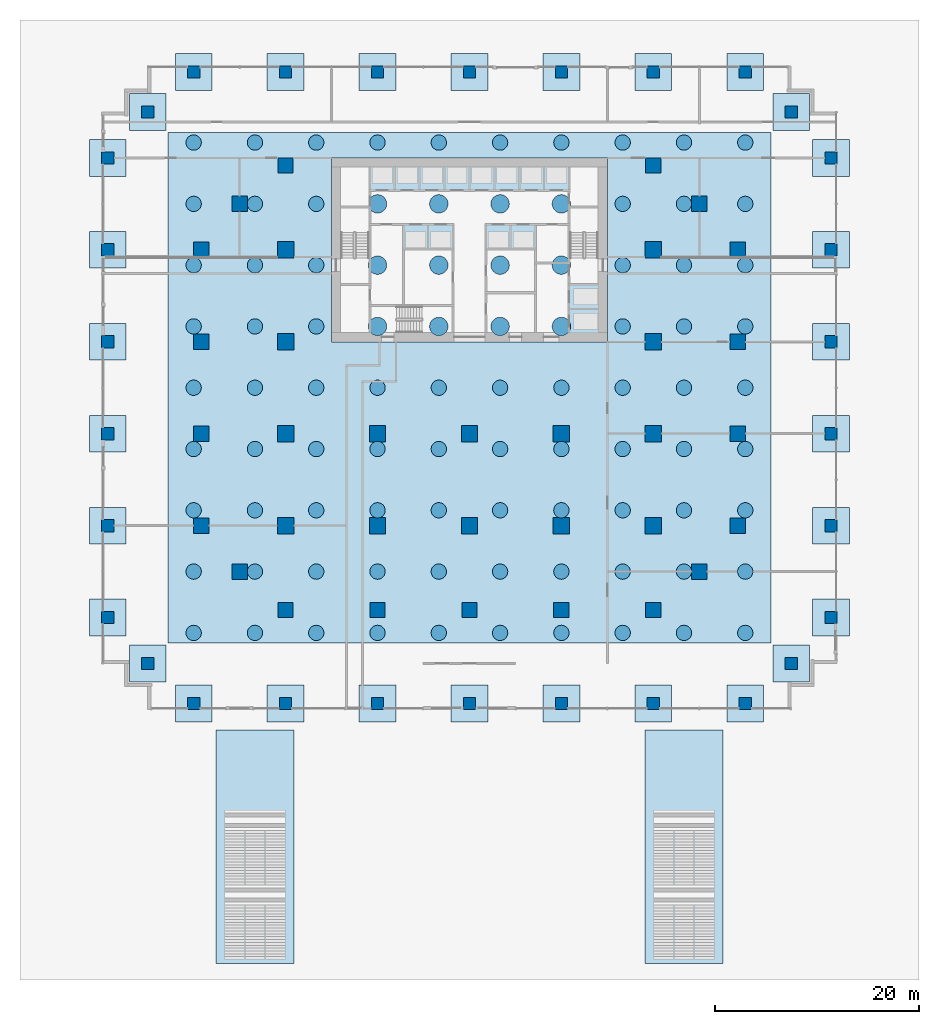
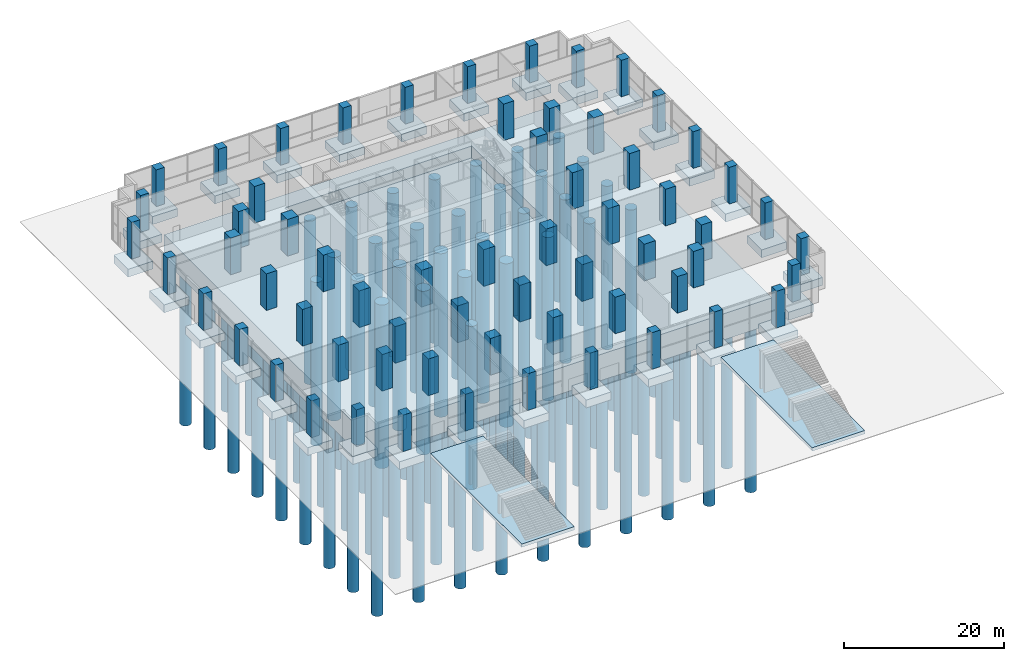
# One storey, part 1 of 20: 90 piles, 63 columns, 34 footings.
"""IFC4 building model written with IfcOpenShell, lengths in metres."""

from ifc_helpers import new_model, si_unit, direction, frame, origin, origin_2d, place, context, subcontext, project, spatial, polyline, rectangle, circle, outline, extrude, material, layer, layer_set, material_profile, profile_set, type_object, element, save


model = new_model("IFC4")

# Units and contexts
model_context = context("Model", 3, precision=1e-05, world=origin(), true_north=direction((0.0, 1.0)))
body_context = subcontext(model_context, "Body", "Model", "MODEL_VIEW")
ifc_project = project(units=[si_unit("LENGTHUNIT", "METRE"), si_unit("AREAUNIT", "SQUARE_METRE"), si_unit("VOLUMEUNIT", "CUBIC_METRE"), si_unit("PLANEANGLEUNIT", "RADIAN"), si_unit("MASSUNIT", "GRAM", prefix="KILO")], contexts=[model_context])

# Site, building, storey
site_placement = place(None, origin())
site = spatial("IfcSite", under=ifc_project, at=site_placement, CompositionType="ELEMENT")
building_placement = place(site_placement, origin())
building = spatial("IfcBuilding", under=site, at=building_placement, Name="Orbiselva Terraces", CompositionType="ELEMENT")
storey_placement = place(building_placement, origin())
storey = spatial("IfcBuildingStorey", under=building, at=storey_placement, Name="L00", CompositionType="ELEMENT", Elevation=0.0)

# Piles
ifc_material_1 = material(Name="Concrete C40/50", Category="concrete")
ifc_material_profile_1 = material_profile(ifc_material_1, circle(Radius=0.75, at=origin_2d()), Name="D1500")
ifc_profile_set_1 = profile_set([ifc_material_profile_1], Name="Concrete C40/50")
pile_type_1 = type_object("IfcPileType", Name="BORED PILE D1500", PredefinedType="BORED", material=ifc_profile_set_1)
for number, where, z_axis, x_axis, name in (
    (1, (-27.0, -24.0, -4.4), (0.0, 0.0, -1.0), (1.0, 0.0, 0.0), "Bored pile 001"),
    (2, (-27.0, -18.0, -4.4), (0.0, 0.0, -1.0), (1.0, 0.0, 0.0), "Bored pile 002"),
    (3, (-27.0, -12.0, -4.4), (0.0, 0.0, -1.0), (1.0, 0.0, 0.0), "Bored pile 003"),
    (4, (-27.0, -6.0, -4.4), (0.0, 0.0, -1.0), (1.0, 0.0, 0.0), "Bored pile 004"),
    (5, (-27.0, 0.0, -4.4), (0.0, 0.0, -1.0), (1.0, 0.0, 0.0), "Bored pile 005"),
    (6, (-27.0, 6.0, -4.4), (0.0, 0.0, -1.0), (1.0, 0.0, 0.0), "Bored pile 006"),
    (7, (-27.0, 12.0, -4.4), (0.0, 0.0, -1.0), (1.0, 0.0, 0.0), "Bored pile 007"),
    (8, (-27.0, 18.0, -4.4), (0.0, 0.0, -1.0), (1.0, 0.0, 0.0), "Bored pile 008"),
    (9, (-27.0, 24.0, -4.4), (0.0, 0.0, -1.0), (1.0, 0.0, 0.0), "Bored pile 009"),
    (10, (-21.0, -24.0, -4.4), (0.0, 0.0, -1.0), (1.0, 0.0, 0.0), "Bored pile 010"),
    (11, (-21.0, -18.0, -4.4), (0.0, 0.0, -1.0), (1.0, 0.0, 0.0), "Bored pile 011"),
    (12, (-21.0, -12.0, -4.4), (0.0, 0.0, -1.0), (1.0, 0.0, 0.0), "Bored pile 012"),
    (13, (-21.0, -6.0, -4.4), (0.0, 0.0, -1.0), (1.0, 0.0, 0.0), "Bored pile 013"),
    (14, (-21.0, 0.0, -4.4), (0.0, 0.0, -1.0), (1.0, 0.0, 0.0), "Bored pile 014"),
    (15, (-21.0, 6.0, -4.4), (0.0, 0.0, -1.0), (1.0, 0.0, 0.0), "Bored pile 015"),
    (16, (-21.0, 12.0, -4.4), (0.0, 0.0, -1.0), (1.0, 0.0, 0.0), "Bored pile 016"),
    (17, (-21.0, 18.0, -4.4), (0.0, 0.0, -1.0), (1.0, 0.0, 0.0), "Bored pile 017"),
    (18, (-21.0, 24.0, -4.4), (0.0, 0.0, -1.0), (1.0, 0.0, 0.0), "Bored pile 018"),
    (19, (-15.0, -24.0, -4.4), (0.0, 0.0, -1.0), (1.0, 0.0, 0.0), "Bored pile 019"),
    (20, (-15.0, -18.0, -4.4), (0.0, 0.0, -1.0), (1.0, 0.0, 0.0), "Bored pile 020"),
    (21, (-15.0, -12.0, -4.4), (0.0, 0.0, -1.0), (1.0, 0.0, 0.0), "Bored pile 021"),
    (22, (-15.0, -6.0, -4.4), (0.0, 0.0, -1.0), (1.0, 0.0, 0.0), "Bored pile 022"),
    (23, (-15.0, 0.0, -4.4), (0.0, 0.0, -1.0), (1.0, 0.0, 0.0), "Bored pile 023"),
    (24, (-15.0, 6.0, -4.4), (0.0, 0.0, -1.0), (1.0, 0.0, 0.0), "Bored pile 024"),
    (25, (-15.0, 12.0, -4.4), (0.0, 0.0, -1.0), (1.0, 0.0, 0.0), "Bored pile 025"),
    (26, (-15.0, 18.0, -4.4), (0.0, 0.0, -1.0), (1.0, 0.0, 0.0), "Bored pile 026"),
    (27, (-15.0, 24.0, -4.4), (0.0, 0.0, -1.0), (1.0, 0.0, 0.0), "Bored pile 027"),
    (28, (-9.0, -24.0, -4.4), (0.0, 0.0, -1.0), (1.0, 0.0, 0.0), "Bored pile 028"),
    (29, (-9.0, -18.0, -4.4), (0.0, 0.0, -1.0), (1.0, 0.0, 0.0), "Bored pile 029"),
    (30, (-9.0, -12.0, -4.4), (0.0, 0.0, -1.0), (1.0, 0.0, 0.0), "Bored pile 030"),
    (31, (-9.0, -6.0, -4.4), (0.0, 0.0, -1.0), (1.0, 0.0, 0.0), "Bored pile 031"),
    (32, (-9.0, 0.0, -4.4), (0.0, 0.0, -1.0), (1.0, 0.0, 0.0), "Bored pile 032"),
    (33, (-9.0, 24.0, -4.4), (0.0, 0.0, -1.0), (1.0, 0.0, 0.0), "Bored pile 036"),
    (34, (-3.0, -24.0, -4.4), (0.0, 0.0, -1.0), (1.0, 0.0, 0.0), "Bored pile 037"),
    (35, (-3.0, -18.0, -4.4), (0.0, 0.0, -1.0), (1.0, 0.0, 0.0), "Bored pile 038"),
    (36, (-3.0, -12.0, -4.4), (0.0, 0.0, -1.0), (1.0, 0.0, 0.0), "Bored pile 039"),
    (37, (-3.0, -6.0, -4.4), (0.0, 0.0, -1.0), (1.0, 0.0, 0.0), "Bored pile 040"),
    (38, (-3.0, 0.0, -4.4), (0.0, 0.0, -1.0), (1.0, 0.0, 0.0), "Bored pile 041"),
    (39, (-3.0, 24.0, -4.4), (0.0, 0.0, -1.0), (1.0, 0.0, 0.0), "Bored pile 045"),
    (40, (3.0, -24.0, -4.4), (0.0, 0.0, -1.0), (1.0, 0.0, 0.0), "Bored pile 046"),
    (41, (3.0, -18.0, -4.4), (0.0, 0.0, -1.0), (1.0, 0.0, 0.0), "Bored pile 047"),
    (42, (3.0, -12.0, -4.4), (0.0, 0.0, -1.0), (1.0, 0.0, 0.0), "Bored pile 048"),
    (43, (3.0, -6.0, -4.4), (0.0, 0.0, -1.0), (1.0, 0.0, 0.0), "Bored pile 049"),
    (44, (3.0, 0.0, -4.4), (0.0, 0.0, -1.0), (1.0, 0.0, 0.0), "Bored pile 050"),
    (45, (3.0, 24.0, -4.4), (0.0, 0.0, -1.0), (1.0, 0.0, 0.0), "Bored pile 054"),
    (46, (9.0, -24.0, -4.4), (0.0, 0.0, -1.0), (1.0, 0.0, 0.0), "Bored pile 055"),
    (47, (9.0, -18.0, -4.4), (0.0, 0.0, -1.0), (1.0, 0.0, 0.0), "Bored pile 056"),
    (48, (9.0, -12.0, -4.4), (0.0, 0.0, -1.0), (1.0, 0.0, 0.0), "Bored pile 057"),
    (49, (9.0, -6.0, -4.4), (0.0, 0.0, -1.0), (1.0, 0.0, 0.0), "Bored pile 058"),
    (50, (9.0, 0.0, -4.4), (0.0, 0.0, -1.0), (1.0, 0.0, 0.0), "Bored pile 059"),
    (51, (9.0, 24.0, -4.4), (0.0, 0.0, -1.0), (1.0, 0.0, 0.0), "Bored pile 063"),
    (52, (15.0, -24.0, -4.4), (0.0, 0.0, -1.0), (1.0, 0.0, 0.0), "Bored pile 064"),
    (53, (15.0, -18.0, -4.4), (0.0, 0.0, -1.0), (1.0, 0.0, 0.0), "Bored pile 065"),
    (54, (15.0, -12.0, -4.4), (0.0, 0.0, -1.0), (1.0, 0.0, 0.0), "Bored pile 066"),
    (55, (15.0, -6.0, -4.4), (0.0, 0.0, -1.0), (1.0, 0.0, 0.0), "Bored pile 067"),
    (56, (15.0, 0.0, -4.4), (0.0, 0.0, -1.0), (1.0, 0.0, 0.0), "Bored pile 068"),
    (57, (15.0, 6.0, -4.4), (0.0, 0.0, -1.0), (1.0, 0.0, 0.0), "Bored pile 069"),
    (58, (15.0, 12.0, -4.4), (0.0, 0.0, -1.0), (1.0, 0.0, 0.0), "Bored pile 070"),
    (59, (15.0, 18.0, -4.4), (0.0, 0.0, -1.0), (1.0, 0.0, 0.0), "Bored pile 071"),
    (60, (15.0, 24.0, -4.4), (0.0, 0.0, -1.0), (1.0, 0.0, 0.0), "Bored pile 072"),
    (61, (21.0, -24.0, -4.4), (0.0, 0.0, -1.0), (1.0, 0.0, 0.0), "Bored pile 073"),
    (62, (21.0, -18.0, -4.4), (0.0, 0.0, -1.0), (1.0, 0.0, 0.0), "Bored pile 074"),
    (63, (21.0, -12.0, -4.4), (0.0, 0.0, -1.0), (1.0, 0.0, 0.0), "Bored pile 075"),
    (64, (21.0, -6.0, -4.4), (0.0, 0.0, -1.0), (1.0, 0.0, 0.0), "Bored pile 076"),
    (65, (21.0, 0.0, -4.4), (0.0, 0.0, -1.0), (1.0, 0.0, 0.0), "Bored pile 077"),
    (66, (21.0, 6.0, -4.4), (0.0, 0.0, -1.0), (1.0, 0.0, 0.0), "Bored pile 078"),
    (67, (21.0, 12.0, -4.4), (0.0, 0.0, -1.0), (1.0, 0.0, 0.0), "Bored pile 079"),
    (68, (21.0, 18.0, -4.4), (0.0, 0.0, -1.0), (1.0, 0.0, 0.0), "Bored pile 080"),
    (69, (21.0, 24.0, -4.4), (0.0, 0.0, -1.0), (1.0, 0.0, 0.0), "Bored pile 081"),
    (70, (27.0, -24.0, -4.4), (0.0, 0.0, -1.0), (1.0, 0.0, 0.0), "Bored pile 082"),
    (71, (27.0, -18.0, -4.4), (0.0, 0.0, -1.0), (1.0, 0.0, 0.0), "Bored pile 083"),
    (72, (27.0, -12.0, -4.4), (0.0, 0.0, -1.0), (1.0, 0.0, 0.0), "Bored pile 084"),
    (73, (27.0, -6.0, -4.4), (0.0, 0.0, -1.0), (1.0, 0.0, 0.0), "Bored pile 085"),
    (74, (27.0, 0.0, -4.4), (0.0, 0.0, -1.0), (1.0, 0.0, 0.0), "Bored pile 086"),
    (75, (27.0, 6.0, -4.4), (0.0, 0.0, -1.0), (1.0, 0.0, 0.0), "Bored pile 087"),
    (76, (27.0, 12.0, -4.4), (0.0, 0.0, -1.0), (1.0, 0.0, 0.0), "Bored pile 088"),
    (77, (27.0, 18.0, -4.4), (0.0, 0.0, -1.0), (1.0, 0.0, 0.0), "Bored pile 089"),
    (78, (27.0, 24.0, -4.4), (0.0, 0.0, -1.0), (1.0, 0.0, 0.0), "Bored pile 090"),
):
    element("IfcPile", number, at=place(storey_placement, frame(where, z_axis=z_axis, x_axis=x_axis)), inside=storey, type_object=pile_type_1, Name=name, PredefinedType="BORED", context=body_context, shape_type="SweptSolid", body=[
        extrude(circle(Radius=0.75, at=origin_2d()), origin(), (0.0, 0.0, 1.0), 25.0),
    ])
ifc_material_profile_2 = material_profile(ifc_material_1, circle(Radius=0.9, at=origin_2d()), Name="D1800")
ifc_profile_set_2 = profile_set([ifc_material_profile_2], Name="Concrete C40/50")
pile_type_2 = type_object("IfcPileType", Name="BORED PILE D1800 UNDER CORE", PredefinedType="BORED", material=ifc_profile_set_2)
for number, where, z_axis, x_axis, name in (
    (79, (-9.0, 6.0, -6.2), (0.0, 0.0, -1.0), (1.0, 0.0, 0.0), "Bored pile 033"),
    (80, (-9.0, 12.0, -6.2), (0.0, 0.0, -1.0), (1.0, 0.0, 0.0), "Bored pile 034"),
    (81, (-9.0, 18.0, -6.2), (0.0, 0.0, -1.0), (1.0, 0.0, 0.0), "Bored pile 035"),
    (82, (-3.0, 6.0, -6.2), (0.0, 0.0, -1.0), (1.0, 0.0, 0.0), "Bored pile 042"),
    (83, (-3.0, 12.0, -6.2), (0.0, 0.0, -1.0), (1.0, 0.0, 0.0), "Bored pile 043"),
    (84, (-3.0, 18.0, -6.2), (0.0, 0.0, -1.0), (1.0, 0.0, 0.0), "Bored pile 044"),
    (85, (3.0, 6.0, -6.2), (0.0, 0.0, -1.0), (1.0, 0.0, 0.0), "Bored pile 051"),
    (86, (3.0, 12.0, -6.2), (0.0, 0.0, -1.0), (1.0, 0.0, 0.0), "Bored pile 052"),
    (87, (3.0, 18.0, -6.2), (0.0, 0.0, -1.0), (1.0, 0.0, 0.0), "Bored pile 053"),
    (88, (9.0, 6.0, -6.2), (0.0, 0.0, -1.0), (1.0, 0.0, 0.0), "Bored pile 060"),
    (89, (9.0, 12.0, -6.2), (0.0, 0.0, -1.0), (1.0, 0.0, 0.0), "Bored pile 061"),
    (90, (9.0, 18.0, -6.2), (0.0, 0.0, -1.0), (1.0, 0.0, 0.0), "Bored pile 062"),
):
    element("IfcPile", number, at=place(storey_placement, frame(where, z_axis=z_axis, x_axis=x_axis)), inside=storey, type_object=pile_type_2, Name=name, PredefinedType="BORED", context=body_context, shape_type="SweptSolid", body=[
        extrude(circle(Radius=0.9, at=origin_2d()), origin(), (0.0, 0.0, 1.0), 25.0),
    ])

# Footings
ifc_layer = layer(ifc_material_1, 0.5)
ifc_layer_set = layer_set([ifc_layer], Name="Concrete C40/50")
footing_type_1 = type_object("IfcFootingType", Name="ENV-STAIR-FOOTING", PredefinedType="PAD_FOOTING", material=ifc_layer_set)
for number, where, z_axis, x_axis, name in (
    (91, (-21.0, -44.94, -0.5), (0.0, 0.0, 1.0), (1.0, 0.0, 0.0), "Broad stair 1 footing"),
    (92, (21.0, -44.94, -0.5), (0.0, 0.0, 1.0), (1.0, 0.0, 0.0), "Broad stair 2 footing"),
):
    element("IfcFooting", number, at=place(storey_placement, frame(where, z_axis=z_axis, x_axis=x_axis)), inside=storey, type_object=footing_type_1, Name=name, PredefinedType="PAD_FOOTING", context=body_context, shape_type="SweptSolid", body=[
        extrude(rectangle(XDim=7.6, YDim=22.88, at=origin_2d()), origin(), (0.0, 0.0, 1.0), 0.5),
    ])
footing_type_2 = type_object("IfcFootingType", Name="PAD FOOTING 3600x3600x1200", PredefinedType="PAD_FOOTING", material=ifc_material_1)
for number, where, z_axis, x_axis, name in (
    (93, (-18.0, -30.9, -1.6), (0.0, 0.0, 1.0), (1.0, 0.0, 0.0), "Pad footing 01"),
    (94, (-18.0, 30.9, -1.6), (0.0, 0.0, 1.0), (1.0, 0.0, 0.0), "Pad footing 02"),
    (95, (-27.0, -30.9, -1.6), (0.0, 0.0, 1.0), (1.0, 0.0, 0.0), "Pad footing 03"),
    (96, (-27.0, 30.9, -1.6), (0.0, 0.0, 1.0), (1.0, 0.0, 0.0), "Pad footing 04"),
    (97, (-35.4, -13.5, -1.6), (0.0, 0.0, 1.0), (1.0, 0.0, 0.0), "Pad footing 05"),
    (98, (-35.4, -22.5, -1.6), (0.0, 0.0, 1.0), (1.0, 0.0, 0.0), "Pad footing 06"),
    (99, (-31.5, -27.0, -1.6), (0.0, 0.0, 1.0), (1.0, 0.0, 0.0), "Pad footing 07"),
    (100, (-35.4, -4.5, -1.6), (0.0, 0.0, 1.0), (1.0, 0.0, 0.0), "Pad footing 08"),
    (101, (-35.4, 13.5, -1.6), (0.0, 0.0, 1.0), (1.0, 0.0, 0.0), "Pad footing 09"),
    (102, (-35.4, 22.5, -1.6), (0.0, 0.0, 1.0), (1.0, 0.0, 0.0), "Pad footing 10"),
    (103, (-31.5, 27.0, -1.6), (0.0, 0.0, 1.0), (1.0, 0.0, 0.0), "Pad footing 11"),
    (104, (-35.4, 4.5, -1.6), (0.0, 0.0, 1.0), (1.0, 0.0, 0.0), "Pad footing 12"),
    (105, (-9.0, -30.9, -1.6), (0.0, 0.0, 1.0), (1.0, 0.0, 0.0), "Pad footing 13"),
    (106, (-9.0, 30.9, -1.6), (0.0, 0.0, 1.0), (1.0, 0.0, 0.0), "Pad footing 14"),
    (107, (0.0, -30.9, -1.6), (0.0, 0.0, 1.0), (1.0, 0.0, 0.0), "Pad footing 15"),
    (108, (0.0, 30.9, -1.6), (0.0, 0.0, 1.0), (1.0, 0.0, 0.0), "Pad footing 16"),
    (109, (18.0, -30.9, -1.6), (0.0, 0.0, 1.0), (1.0, 0.0, 0.0), "Pad footing 17"),
    (110, (18.0, 30.9, -1.6), (0.0, 0.0, 1.0), (1.0, 0.0, 0.0), "Pad footing 18"),
    (111, (27.0, -30.9, -1.6), (0.0, 0.0, 1.0), (1.0, 0.0, 0.0), "Pad footing 19"),
    (112, (27.0, 30.9, -1.6), (0.0, 0.0, 1.0), (1.0, 0.0, 0.0), "Pad footing 20"),
    (113, (35.4, -13.5, -1.6), (0.0, 0.0, 1.0), (1.0, 0.0, 0.0), "Pad footing 21"),
    (114, (35.4, -22.5, -1.6), (0.0, 0.0, 1.0), (1.0, 0.0, 0.0), "Pad footing 22"),
    (115, (31.5, -27.0, -1.6), (0.0, 0.0, 1.0), (1.0, 0.0, 0.0), "Pad footing 23"),
    (116, (35.4, -4.5, -1.6), (0.0, 0.0, 1.0), (1.0, 0.0, 0.0), "Pad footing 24"),
    (117, (35.4, 13.5, -1.6), (0.0, 0.0, 1.0), (1.0, 0.0, 0.0), "Pad footing 25"),
    (118, (35.4, 22.5, -1.6), (0.0, 0.0, 1.0), (1.0, 0.0, 0.0), "Pad footing 26"),
    (119, (31.5, 27.0, -1.6), (0.0, 0.0, 1.0), (1.0, 0.0, 0.0), "Pad footing 27"),
    (120, (35.4, 4.5, -1.6), (0.0, 0.0, 1.0), (1.0, 0.0, 0.0), "Pad footing 28"),
    (121, (9.0, -30.9, -1.6), (0.0, 0.0, 1.0), (1.0, 0.0, 0.0), "Pad footing 29"),
    (122, (9.0, 30.9, -1.6), (0.0, 0.0, 1.0), (1.0, 0.0, 0.0), "Pad footing 30"),
):
    element("IfcFooting", number, at=place(storey_placement, frame(where, z_axis=z_axis, x_axis=x_axis)), inside=storey, type_object=footing_type_2, Name=name, PredefinedType="PAD_FOOTING", context=body_context, shape_type="SweptSolid", body=[
        extrude(rectangle(XDim=3.6, YDim=3.6, at=origin_2d()), origin(), (0.0, 0.0, 1.0), 1.2),
    ])
footing_type_3 = type_object("IfcFootingType", Name="RAFT 4000", PredefinedType="PILE_CAP", material=ifc_material_1)
footing_1_placement = place(storey_placement, frame((0.0, 0.0, -4.4)))
element("IfcFooting", 123, at=footing_1_placement, inside=storey, type_object=footing_type_3, Name="Raft", PredefinedType="PILE_CAP", context=body_context, shape_type="SweptSolid", body=[
    extrude(outline(polyline([(-29.5, -25.0), (29.5, -25.0), (29.5, 25.0), (-29.5, 25.0), (-29.5, -25.0)]), holes=[polyline([(-13.5, 4.5), (13.5, 4.5), (13.5, 22.5), (-13.5, 22.5), (-13.5, 4.5)])]), origin(), (0.0, 0.0, 1.0), 4.0),
])
footing_type_4 = type_object("IfcFootingType", Name="RAFT UNDER CORE 4000", PredefinedType="PILE_CAP", material=ifc_material_1)
footing_2_placement = place(storey_placement, frame((0.0, 0.0, -6.2)))
element("IfcFooting", 124, at=footing_2_placement, inside=storey, type_object=footing_type_4, Name="Raft under the core", PredefinedType="PILE_CAP", context=body_context, shape_type="SweptSolid", body=[
    extrude(outline(polyline([(-13.5, 4.5), (13.5, 4.5), (13.5, 22.5), (-13.5, 22.5), (-13.5, 4.5)])), origin(), (0.0, 0.0, 1.0), 4.0),
])

# Columns
ifc_material_2 = material(Name="Concrete C80/95", Category="concrete")
ifc_material_profile_3 = material_profile(ifc_material_2, rectangle(XDim=1.6, YDim=1.6, at=origin_2d()), Name="RC 1600x1600")
ifc_profile_set_3 = profile_set([ifc_material_profile_3], Name="Concrete C80/95")
column_type_1 = type_object("IfcColumnType", Name="COLUMN RC 1600x1600", PredefinedType="COLUMN", material=ifc_profile_set_3)
for number, where, z_axis, x_axis, name in (
    (125, (-18.0, -13.5, 0.0), (0.0, 0.0, 1.0), (1.0, 0.0, 0.0), "Column L00-31"),
    (126, (-18.0, -4.5, 0.0), (0.0, 0.0, 1.0), (1.0, 0.0, 0.0), "Column L00-33"),
    (127, (-18.0, 13.5, 0.0), (0.0, 0.0, 1.0), (1.0, 0.0, 0.0), "Column L00-34"),
    (128, (-18.0, 4.5, 0.0), (0.0, 0.0, 1.0), (1.0, 0.0, 0.0), "Column L00-36"),
    (129, (-9.0, -13.5, 0.0), (0.0, 0.0, 1.0), (1.0, 0.0, 0.0), "Column L00-43"),
    (130, (-9.0, -4.5, 0.0), (0.0, 0.0, 1.0), (1.0, 0.0, 0.0), "Column L00-45"),
    (131, (0.0, -13.5, 0.0), (0.0, 0.0, 1.0), (1.0, 0.0, 0.0), "Column L00-46"),
    (132, (0.0, -4.5, 0.0), (0.0, 0.0, 1.0), (1.0, 0.0, 0.0), "Column L00-48"),
    (133, (18.0, -13.5, 0.0), (0.0, 0.0, 1.0), (1.0, 0.0, 0.0), "Column L00-49"),
    (134, (18.0, -4.5, 0.0), (0.0, 0.0, 1.0), (1.0, 0.0, 0.0), "Column L00-51"),
    (135, (18.0, 13.5, 0.0), (0.0, 0.0, 1.0), (1.0, 0.0, 0.0), "Column L00-52"),
    (136, (18.0, 4.5, 0.0), (0.0, 0.0, 1.0), (1.0, 0.0, 0.0), "Column L00-54"),
    (137, (9.0, -13.5, 0.0), (0.0, 0.0, 1.0), (1.0, 0.0, 0.0), "Column L00-61"),
    (138, (9.0, -4.5, 0.0), (0.0, 0.0, 1.0), (1.0, 0.0, 0.0), "Column L00-63"),
):
    element("IfcColumn", number, at=place(storey_placement, frame(where, z_axis=z_axis, x_axis=x_axis)), inside=storey, type_object=column_type_1, Name=name, PredefinedType="COLUMN", context=body_context, shape_type="SweptSolid", body=[
        extrude(rectangle(XDim=1.6, YDim=1.6, at=origin_2d()), origin(), (0.0, 0.0, 1.0), 5.6),
    ])
ifc_material_3 = material(Name="Concrete C60/75", Category="concrete")
ifc_material_profile_4 = material_profile(ifc_material_3, rectangle(XDim=1.2, YDim=1.2, at=origin_2d()), Name="RC 1200x1200")
ifc_profile_set_4 = profile_set([ifc_material_profile_4], Name="Concrete C60/75")
column_type_2 = type_object("IfcColumnType", Name="PERIMETER COLUMN RC 1200x1200", PredefinedType="COLUMN", material=ifc_profile_set_4)
for number, where, z_axis, x_axis, name in (
    (139, (-18.0, -30.9, 0.0), (0.0, 0.0, 1.0), (1.0, 0.0, 0.0), "Column L00-01"),
    (140, (-18.0, 30.9, 0.0), (0.0, 0.0, 1.0), (1.0, 0.0, 0.0), "Column L00-02"),
    (141, (-27.0, -30.9, 0.0), (0.0, 0.0, 1.0), (1.0, 0.0, 0.0), "Column L00-03"),
    (142, (-27.0, 30.9, 0.0), (0.0, 0.0, 1.0), (1.0, 0.0, 0.0), "Column L00-04"),
    (143, (-35.4, -13.5, 0.0), (0.0, 0.0, 1.0), (1.0, 0.0, 0.0), "Column L00-05"),
    (144, (-35.4, -22.5, 0.0), (0.0, 0.0, 1.0), (1.0, 0.0, 0.0), "Column L00-06"),
    (145, (-31.5, -27.0, 0.0), (0.0, 0.0, 1.0), (1.0, 0.0, 0.0), "Column L00-07"),
    (146, (-35.4, -4.5, 0.0), (0.0, 0.0, 1.0), (1.0, 0.0, 0.0), "Column L00-08"),
    (147, (-35.4, 13.5, 0.0), (0.0, 0.0, 1.0), (1.0, 0.0, 0.0), "Column L00-09"),
    (148, (-35.4, 22.5, 0.0), (0.0, 0.0, 1.0), (1.0, 0.0, 0.0), "Column L00-10"),
    (149, (-31.5, 27.0, 0.0), (0.0, 0.0, 1.0), (1.0, 0.0, 0.0), "Column L00-11"),
    (150, (-35.4, 4.5, 0.0), (0.0, 0.0, 1.0), (1.0, 0.0, 0.0), "Column L00-12"),
    (151, (-9.0, -30.9, 0.0), (0.0, 0.0, 1.0), (1.0, 0.0, 0.0), "Column L00-13"),
    (152, (-9.0, 30.9, 0.0), (0.0, 0.0, 1.0), (1.0, 0.0, 0.0), "Column L00-14"),
    (153, (0.0, -30.9, 0.0), (0.0, 0.0, 1.0), (1.0, 0.0, 0.0), "Column L00-15"),
    (154, (0.0, 30.9, 0.0), (0.0, 0.0, 1.0), (1.0, 0.0, 0.0), "Column L00-16"),
    (155, (18.0, -30.9, 0.0), (0.0, 0.0, 1.0), (1.0, 0.0, 0.0), "Column L00-17"),
    (156, (18.0, 30.9, 0.0), (0.0, 0.0, 1.0), (1.0, 0.0, 0.0), "Column L00-18"),
    (157, (27.0, -30.9, 0.0), (0.0, 0.0, 1.0), (1.0, 0.0, 0.0), "Column L00-19"),
    (158, (27.0, 30.9, 0.0), (0.0, 0.0, 1.0), (1.0, 0.0, 0.0), "Column L00-20"),
    (159, (35.4, -13.5, 0.0), (0.0, 0.0, 1.0), (1.0, 0.0, 0.0), "Column L00-21"),
    (160, (35.4, -22.5, 0.0), (0.0, 0.0, 1.0), (1.0, 0.0, 0.0), "Column L00-22"),
    (161, (31.5, -27.0, 0.0), (0.0, 0.0, 1.0), (1.0, 0.0, 0.0), "Column L00-23"),
    (162, (35.4, -4.5, 0.0), (0.0, 0.0, 1.0), (1.0, 0.0, 0.0), "Column L00-24"),
    (163, (35.4, 13.5, 0.0), (0.0, 0.0, 1.0), (1.0, 0.0, 0.0), "Column L00-25"),
    (164, (35.4, 22.5, 0.0), (0.0, 0.0, 1.0), (1.0, 0.0, 0.0), "Column L00-26"),
    (165, (31.5, 27.0, 0.0), (0.0, 0.0, 1.0), (1.0, 0.0, 0.0), "Column L00-27"),
    (166, (35.4, 4.5, 0.0), (0.0, 0.0, 1.0), (1.0, 0.0, 0.0), "Column L00-28"),
    (167, (9.0, -30.9, 0.0), (0.0, 0.0, 1.0), (1.0, 0.0, 0.0), "Column L00-29"),
    (168, (9.0, 30.9, 0.0), (0.0, 0.0, 1.0), (1.0, 0.0, 0.0), "Column L00-30"),
):
    element("IfcColumn", number, at=place(storey_placement, frame(where, z_axis=z_axis, x_axis=x_axis)), inside=storey, type_object=column_type_2, Name=name, PredefinedType="COLUMN", context=body_context, shape_type="SweptSolid", body=[
        extrude(rectangle(XDim=1.2, YDim=1.2, at=origin_2d()), origin(), (0.0, 0.0, 1.0), 5.6),
    ])
ifc_material_profile_5 = material_profile(ifc_material_2, rectangle(XDim=1.5, YDim=1.5, at=origin_2d()), Name="RC 1500x1500")
ifc_profile_set_5 = profile_set([ifc_material_profile_5], Name="Concrete C80/95")
column_type_3 = type_object("IfcColumnType", Name="PERIMETER COLUMN RC 1500x1500", PredefinedType="COLUMN", material=ifc_profile_set_5)
for number, where, z_axis, x_axis, name in (
    (169, (-18.0, -21.75, 0.0), (0.0, 0.0, 1.0), (1.0, 0.0, 0.0), "Column L00-32"),
    (170, (-18.0, 21.75, 0.0), (0.0, 0.0, 1.0), (1.0, 0.0, 0.0), "Column L00-35"),
    (171, (-26.25, -13.5, 0.0), (0.0, 0.0, 1.0), (1.0, 0.0, 0.0), "Column L00-37"),
    (172, (-22.5, -18.0, 0.0), (0.0, 0.0, 1.0), (1.0, 0.0, 0.0), "Column L00-38"),
    (173, (-26.25, -4.5, 0.0), (0.0, 0.0, 1.0), (1.0, 0.0, 0.0), "Column L00-39"),
    (174, (-26.25, 13.5, 0.0), (0.0, 0.0, 1.0), (1.0, 0.0, 0.0), "Column L00-40"),
    (175, (-22.5, 18.0, 0.0), (0.0, 0.0, 1.0), (1.0, 0.0, 0.0), "Column L00-41"),
    (176, (-26.25, 4.5, 0.0), (0.0, 0.0, 1.0), (1.0, 0.0, 0.0), "Column L00-42"),
    (177, (-9.0, -21.75, 0.0), (0.0, 0.0, 1.0), (1.0, 0.0, 0.0), "Column L00-44"),
    (178, (0.0, -21.75, 0.0), (0.0, 0.0, 1.0), (1.0, 0.0, 0.0), "Column L00-47"),
    (179, (18.0, -21.75, 0.0), (0.0, 0.0, 1.0), (1.0, 0.0, 0.0), "Column L00-50"),
    (180, (18.0, 21.75, 0.0), (0.0, 0.0, 1.0), (1.0, 0.0, 0.0), "Column L00-53"),
    (181, (26.25, -13.5, 0.0), (0.0, 0.0, 1.0), (1.0, 0.0, 0.0), "Column L00-55"),
    (182, (22.5, -18.0, 0.0), (0.0, 0.0, 1.0), (1.0, 0.0, 0.0), "Column L00-56"),
    (183, (26.25, -4.5, 0.0), (0.0, 0.0, 1.0), (1.0, 0.0, 0.0), "Column L00-57"),
    (184, (26.25, 13.5, 0.0), (0.0, 0.0, 1.0), (1.0, 0.0, 0.0), "Column L00-58"),
    (185, (22.5, 18.0, 0.0), (0.0, 0.0, 1.0), (1.0, 0.0, 0.0), "Column L00-59"),
    (186, (26.25, 4.5, 0.0), (0.0, 0.0, 1.0), (1.0, 0.0, 0.0), "Column L00-60"),
    (187, (9.0, -21.75, 0.0), (0.0, 0.0, 1.0), (1.0, 0.0, 0.0), "Column L00-62"),
):
    element("IfcColumn", number, at=place(storey_placement, frame(where, z_axis=z_axis, x_axis=x_axis)), inside=storey, type_object=column_type_3, Name=name, PredefinedType="COLUMN", context=body_context, shape_type="SweptSolid", body=[
        extrude(rectangle(XDim=1.5, YDim=1.5, at=origin_2d()), origin(), (0.0, 0.0, 1.0), 5.6),
    ])

save(model, "model.ifc")
